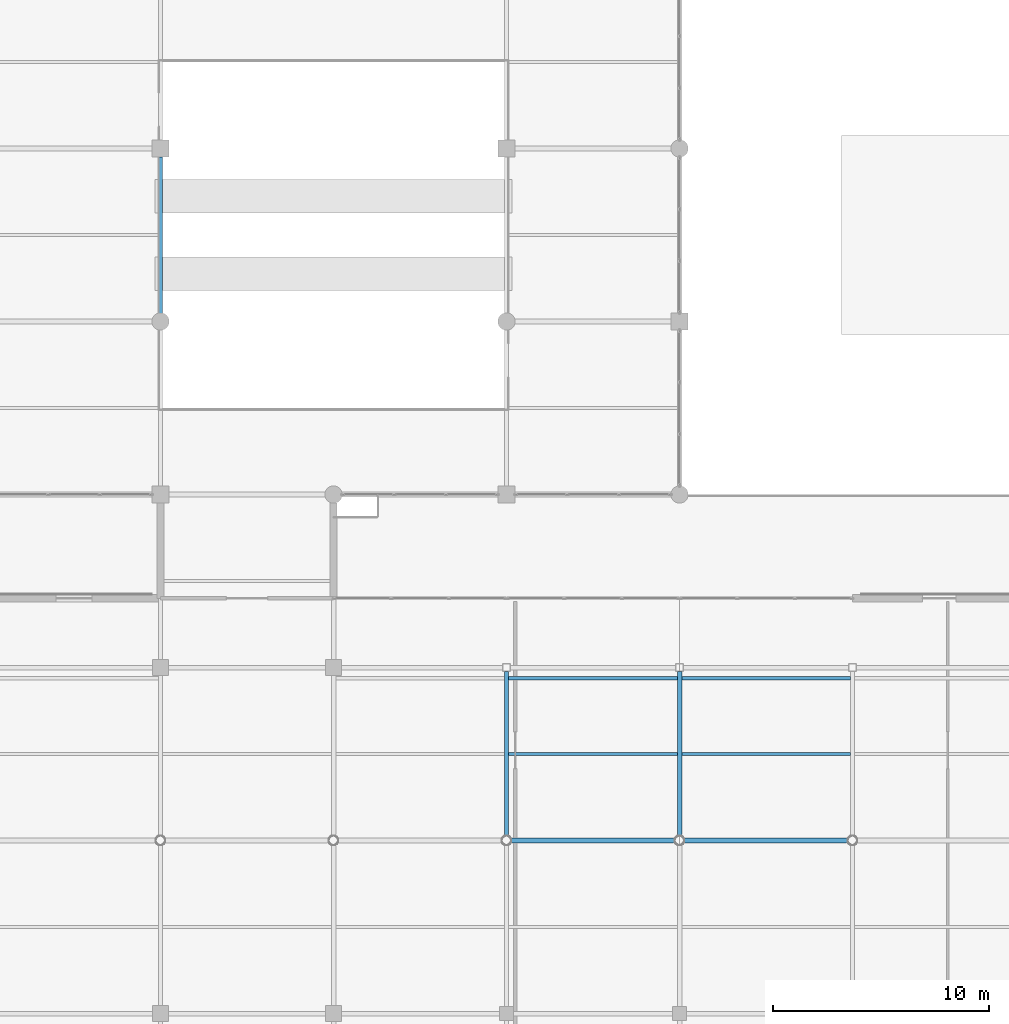
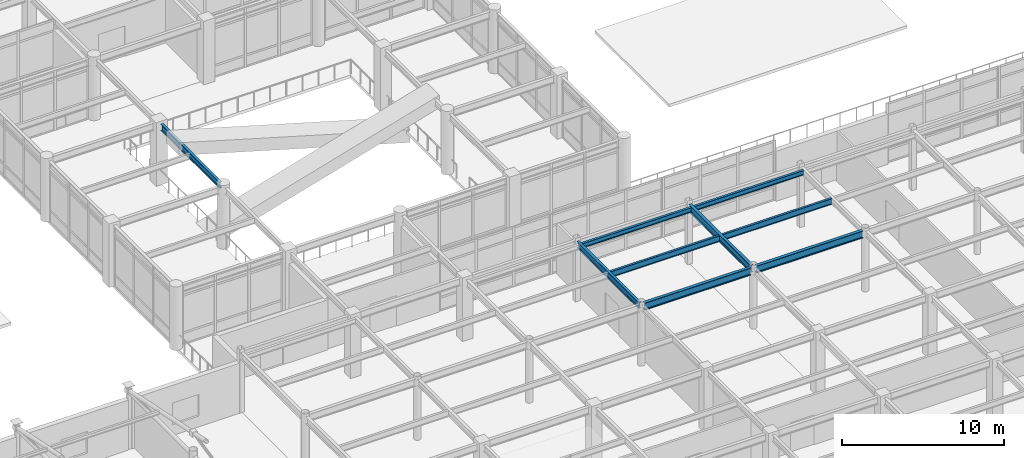
# One storey, part 38 of 117: 9 beams.
"""IFC4 building model written with IfcOpenShell, lengths in metres."""

import ifcopenshell
import ifcopenshell.guid

model = None  # the IFC model being written
_history = None  # IfcOwnerHistory: only IFC2X3 demands one
_inside = {}  # id of a spatial element -> (the spatial element, [elements in it])
_under = {}  # id of a project, library or spatial element -> (it, [spatial elements below it])
_declared = {}  # id of a project -> (the project, [libraries it declares])
_typed = {}  # id of a type object -> (the type object, [elements of that type])
_made_of = {}  # id of a material, layer set ... -> (it, [elements and type objects made of it])


def new_model(schema):
    """Start an empty IFC model of exactly this schema.

    Asked for "IFC4X3", IfcOpenShell would pick the latest addendum, in which some entities
    have other attributes; the version numbers below select the first issue.
    IFC2X3 requires an IfcOwnerHistory on every rooted entity: one is made here for all.
    """
    global model, _history
    if schema == "IFC4X3":
        model = ifcopenshell.file(schema_version=(4, 3, 0, 0))
    else:
        model = ifcopenshell.file(schema=schema)
    _inside.clear()
    _under.clear()
    _declared.clear()
    _typed.clear()
    _made_of.clear()
    _history = None
    if model.schema == "IFC2X3":
        org = make("IfcOrganization", Name="unknown")
        user = make(
            "IfcPersonAndOrganization",
            ThePerson=make("IfcPerson", FamilyName="unknown"),
            TheOrganization=org,
        )
        app = make(
            "IfcApplication",
            ApplicationDeveloper=org,
            Version="unknown",
            ApplicationFullName="unknown",
            ApplicationIdentifier="unknown",
        )
        _history = make(
            "IfcOwnerHistory",
            OwningUser=user,
            OwningApplication=app,
            ChangeAction="ADDED",
            CreationDate=0,
        )
    return model


def make(cls, **values):
    """One entity of the class cls with the attributes given. An attribute that is None is left unset."""
    return model.create_entity(
        cls, **{name: value for name, value in values.items() if value is not None}
    )


def rooted(cls, **values):
    """An entity with a GlobalId (a new one), such as an element, a storey or a relation."""
    return make(cls, GlobalId=ifcopenshell.guid.new(), OwnerHistory=_history, **values)


def si_unit(unit_type, name, prefix=None):
    """IfcSIUnit, for example si_unit("LENGTHUNIT", "METRE", prefix="MILLI")."""
    return make("IfcSIUnit", UnitType=unit_type, Prefix=prefix, Name=name)


def assignment(units):
    """IfcUnitAssignment: the units of a project."""
    return None if units is None else make("IfcUnitAssignment", Units=units)


def point(xyz):
    """IfcCartesianPoint."""
    return None if xyz is None else make("IfcCartesianPoint", Coordinates=xyz)


def direction(xyz):
    """IfcDirection."""
    return None if xyz is None else make("IfcDirection", DirectionRatios=xyz)


def frame(location, z_axis=None, x_axis=None):
    """IfcAxis2Placement3D, a coordinate frame: its origin and axes. An axis left out is left unset."""
    return make(
        "IfcAxis2Placement3D",
        Location=point(location),
        Axis=direction(z_axis),
        RefDirection=direction(x_axis),
    )


def frame_2d(location, x_axis=None):
    """IfcAxis2Placement2D, a coordinate frame in the plane: its origin and x axis."""
    return make(
        "IfcAxis2Placement2D", Location=point(location), RefDirection=direction(x_axis)
    )


def origin():
    """The frame at (0, 0, 0) with its axes left unset."""
    return frame((0.0, 0.0, 0.0))


def origin_2d():
    """The frame at (0, 0) in the plane with its x axis left unset."""
    return frame_2d((0.0, 0.0))


def place(relative_to, where):
    """IfcLocalPlacement: puts the frame where relative to a parent placement (None: the world)."""
    return make(
        "IfcLocalPlacement", PlacementRelTo=relative_to, RelativePlacement=where
    )


def context(
    kind, dimensions, precision=None, world=None, true_north=None, identifier=None
):
    """IfcGeometricRepresentationContext, for example the 3D "Model" context."""
    return make(
        "IfcGeometricRepresentationContext",
        ContextIdentifier=identifier,
        ContextType=kind,
        CoordinateSpaceDimension=dimensions,
        Precision=precision,
        WorldCoordinateSystem=world,
        TrueNorth=true_north,
    )


def subcontext(parent, identifier, kind, view, scale=None):
    """IfcGeometricRepresentationSubContext, for example "Body" below "Model"."""
    return make(
        "IfcGeometricRepresentationSubContext",
        ContextIdentifier=identifier,
        ContextType=kind,
        ParentContext=parent,
        TargetScale=scale,
        TargetView=view,
    )


def project(units=None, contexts=None):
    """IfcProject with its units and contexts."""
    return rooted(
        "IfcProject",
        Name="project",
        RepresentationContexts=contexts,
        UnitsInContext=assignment(units),
    )


def spatial(cls, under=None, at=None, **own):
    """A site, building, storey or space (cls), placed at a placement, below another one or the project."""
    s = rooted(cls, ObjectPlacement=at, **own)
    if under is not None:
        _under.setdefault(under.id(), (under, []))[1].append(s)
    return s


def profile(cls, at=None, kind="AREA", **sizes):
    """A parametric profile (cls). Its sizes go by their IFC names, for example OverallWidth=200.0."""
    return make(cls, ProfileType=kind, Position=at, **sizes)


def i_section(**sizes):
    """IfcIShapeProfileDef."""
    return profile("IfcIShapeProfileDef", **sizes)


def extrude(swept, where, along, depth):
    """IfcExtrudedAreaSolid: the profile swept, set in the frame where, extruded along a direction by depth."""
    return make(
        "IfcExtrudedAreaSolid",
        SweptArea=swept,
        Position=where,
        ExtrudedDirection=direction(along),
        Depth=depth,
    )


def shape(context_of_items, identifier, shape_type, items):
    """IfcShapeRepresentation: the items that make up one representation, for example the "Body"."""
    return make(
        "IfcShapeRepresentation",
        ContextOfItems=context_of_items,
        RepresentationIdentifier=identifier,
        RepresentationType=shape_type,
        Items=items,
    )


def material(Name=None, Category=None):
    """IfcMaterial."""
    return make("IfcMaterial", Name=Name, Category=Category)


def material_profile(
    of_material, cross_section, Name=None, Category=None, Priority=None
):
    """IfcMaterialProfile: a cross section and its material."""
    return make(
        "IfcMaterialProfile",
        Name=Name,
        Material=of_material,
        Profile=cross_section,
        Priority=Priority,
        Category=Category,
    )


def profile_set(profiles, Name=None, composite=None):
    """IfcMaterialProfileSet."""
    return make(
        "IfcMaterialProfileSet",
        Name=Name,
        MaterialProfiles=profiles,
        CompositeProfile=composite,
    )


def made_of(thing, what):
    """Note that an element or type object is made of a material, layer set ...; save() writes the relation."""
    if what is not None:
        _made_of.setdefault(what.id(), (what, []))[1].append(thing)
    return thing


def type_object(cls, material=None, **own):
    """A type object (cls), such as IfcWallType, which elements share."""
    return made_of(rooted(cls, **own), material)


def element(
    cls,
    number,
    at=None,
    inside=None,
    cuts=None,
    type_object=None,
    material=None,
    context=None,
    identifier="Body",
    shape_type=None,
    held_by="IfcProductDefinitionShape",
    body=None,
    shapes=None,
    **own,
):
    """One element of the class cls, such as IfcWall. Its Tag is "e" and its number.

    at: its placement. inside: the storey or other place that contains it. cuts: it is an
    opening in that element (IfcRelVoidsElement). A single representation is given by context,
    identifier, shape_type and body (its items); several are given by shapes. held_by: the class
    of the entity that holds the representations. save() writes the other relations.
    """
    e = rooted(cls, Tag="e%d" % number, ObjectPlacement=at, **own)
    if body is not None:
        shapes = [shape(context, identifier, shape_type, body)]
    if shapes is not None:
        e.Representation = make(held_by, Representations=shapes)
    if inside is not None:
        _inside.setdefault(inside.id(), (inside, []))[1].append(e)
    if cuts is not None:
        rooted(
            "IfcRelVoidsElement", RelatingBuildingElement=cuts, RelatedOpeningElement=e
        )
    if type_object is not None:
        _typed.setdefault(type_object.id(), (type_object, []))[1].append(e)
    return made_of(e, material)


def aggregate(whole, parts):
    """IfcRelAggregates: a whole, such as a stair, and the parts it consists of."""
    return rooted("IfcRelAggregates", RelatingObject=whole, RelatedObjects=parts)


def save(model, path):
    """Write the relations noted so far, then the file.

    IfcRelAggregates (storeys below a building ...), IfcRelContainedInSpatialStructure (elements
    in a storey), IfcRelDefinesByType, IfcRelAssociatesMaterial and IfcRelDeclares: one each for
    every whole, place, type object, material and project.
    """
    for whole, parts in _under.values():
        aggregate(whole, parts)
    for where, things in _inside.values():
        rooted(
            "IfcRelContainedInSpatialStructure",
            RelatedElements=things,
            RelatingStructure=where,
        )
    for kind, things in _typed.values():
        rooted("IfcRelDefinesByType", RelatedObjects=things, RelatingType=kind)
    for what, things in _made_of.values():
        rooted("IfcRelAssociatesMaterial", RelatedObjects=things, RelatingMaterial=what)
    for by, libraries in _declared.values():
        rooted("IfcRelDeclares", RelatingContext=by, RelatedDefinitions=libraries)
    model.write(path)


model = new_model("IFC4")

# Units and contexts
model_context = context("Model", 3, precision=1e-05, world=origin(), true_north=direction((0.0, 1.0)))
body_context = subcontext(model_context, "Body", "Model", "MODEL_VIEW")
ifc_project = project(units=[si_unit("LENGTHUNIT", "METRE"), si_unit("AREAUNIT", "SQUARE_METRE"), si_unit("VOLUMEUNIT", "CUBIC_METRE"), si_unit("PLANEANGLEUNIT", "RADIAN"), si_unit("MASSUNIT", "GRAM", prefix="KILO")], contexts=[model_context])

# Site, building, storey
site_placement = place(None, origin())
site = spatial("IfcSite", under=ifc_project, at=site_placement, CompositionType="ELEMENT")
building_placement = place(site_placement, origin())
building = spatial("IfcBuilding", under=site, at=building_placement, Name="Solmirada Galleria", CompositionType="ELEMENT")
storey_placement = place(building_placement, frame((0.0, 0.0, 5.60009765625)))
storey = spatial("IfcBuildingStorey", under=building, at=storey_placement, Name="L01", CompositionType="ELEMENT", Elevation=5.60009765625)

# Beams
ifc_material = material(Name="Steel S355 / ASTM A992 Grade 50", Category="steel")
ifc_material_profile_1 = material_profile(ifc_material, i_section(OverallWidth=0.194091796875, OverallDepth=0.468994140625, WebThickness=0.0126953125, FlangeThickness=0.0205078125, FilletRadius=0.013916015625, at=origin_2d()), Name="W18X71")
ifc_profile_set_1 = profile_set([ifc_material_profile_1], Name="Steel S355 / ASTM A992 Grade 50")
beam_type_1 = type_object("IfcBeamType", Name="BM-GIRD-W18B", PredefinedType="BEAM", material=ifc_profile_set_1)
beam_1_placement = place(storey_placement, frame((88.0, 56.3359375, 4.365478515625), z_axis=(0.0, 1.0, 0.0), x_axis=(-1.0, 0.0, 0.0)))
element("IfcBeam", 1, at=beam_1_placement, inside=storey, type_object=beam_type_1, Name="Primary girder L02 Y(88, 56..64)", PredefinedType="BEAM", context=body_context, shape_type="SweptSolid", body=[
    extrude(i_section(OverallWidth=0.194091796875, OverallDepth=0.468994140625, WebThickness=0.0126953125, FlangeThickness=0.0205078125, FilletRadius=0.013916015625, at=origin_2d()), origin(), (0.0, 0.0, 1.0), 7.26416015625),
])
beam_2_placement = place(storey_placement, frame((104.0, 32.19189453125, 4.325439453125), z_axis=(0.0, 1.0, 0.0), x_axis=(-1.0, 0.0, 0.0)))
element("IfcBeam", 2, at=beam_2_placement, inside=storey, type_object=beam_type_1, Name="Primary girder L02 Y(104, 32..40)", PredefinedType="BEAM", context=body_context, shape_type="SweptSolid", body=[
    extrude(i_section(OverallWidth=0.194091796875, OverallDepth=0.468994140625, WebThickness=0.0126953125, FlangeThickness=0.0205078125, FilletRadius=0.013916015625, at=origin_2d()), origin(), (0.0, 0.0, 1.0), 7.630126953125),
])
ifc_material_profile_2 = material_profile(ifc_material, i_section(OverallWidth=0.214111328125, OverallDepth=0.549072265625, WebThickness=0.0146484375, FlangeThickness=0.023681640625, FilletRadius=0.014892578125, at=origin_2d()), Name="W21X93")
ifc_profile_set_2 = profile_set([ifc_material_profile_2], Name="Steel S355 / ASTM A992 Grade 50")
beam_type_2 = type_object("IfcBeamType", Name="BM-GIRD-W21A", PredefinedType="BEAM", material=ifc_profile_set_2)
for number, where, z_axis, x_axis, name in (
    (3, (104.19189453125, 32.0, 4.325439453125), (1.0, 0.0, 0.0), (0.0, 1.0, 0.0), "Primary beam L02 X(104..112, 32)"),
    (4, (112.19189453125, 32.0, 4.325439453125), (1.0, 0.0, 0.0), (0.0, 1.0, 0.0), "Primary beam L02 X(112..120, 32)"),
):
    element("IfcBeam", number, at=place(storey_placement, frame(where, z_axis=z_axis, x_axis=x_axis)), inside=storey, type_object=beam_type_2, Name=name, PredefinedType="BEAM", context=body_context, shape_type="SweptSolid", body=[
        extrude(i_section(OverallWidth=0.214111328125, OverallDepth=0.549072265625, WebThickness=0.0146484375, FlangeThickness=0.023681640625, FilletRadius=0.014892578125, at=origin_2d()), origin(), (0.0, 0.0, 1.0), 7.6162109375),
    ])
ifc_material_profile_3 = material_profile(ifc_material, i_section(OverallWidth=0.2099609375, OverallDepth=0.537109375, WebThickness=0.010986328125, FlangeThickness=0.017333984375, FilletRadius=0.014892578125, at=origin_2d()), Name="W21X68")
ifc_profile_set_3 = profile_set([ifc_material_profile_3], Name="Steel S355 / ASTM A992 Grade 50")
beam_type_3 = type_object("IfcBeamType", Name="BM-GIRD-W21B", PredefinedType="BEAM", material=ifc_profile_set_3)
beam_3_placement = place(storey_placement, frame((112.0, 32.19189453125, 4.29150390625), z_axis=(0.0, 1.0, 0.0), x_axis=(-1.0, 0.0, 0.0)))
element("IfcBeam", 5, at=beam_3_placement, inside=storey, type_object=beam_type_3, Name="Primary girder L02 Y(112, 32..40)", PredefinedType="BEAM", context=body_context, shape_type="SweptSolid", body=[
    extrude(i_section(OverallWidth=0.2099609375, OverallDepth=0.537109375, WebThickness=0.010986328125, FlangeThickness=0.017333984375, FilletRadius=0.014892578125, at=origin_2d()), origin(), (0.0, 0.0, 1.0), 7.630126953125),
])
ifc_material_profile_4 = material_profile(ifc_material, i_section(OverallWidth=0.1708984375, OverallDepth=0.35205078125, WebThickness=0.0068359375, FlangeThickness=0.009765625, FilletRadius=0.010986328125, at=origin_2d()), Name="W14X30")
ifc_profile_set_4 = profile_set([ifc_material_profile_4], Name="Steel S355 / ASTM A992 Grade 50")
beam_type_4 = type_object("IfcBeamType", Name="BM-JST-W14B", PredefinedType="JOIST", material=ifc_profile_set_4)
for number, where, z_axis, x_axis, name in (
    (6, (104.096923828125, 39.5, 4.3837890625), (1.0, 0.0, 0.0), (0.0, 1.0, 0.0), "Terrace deck joist L02-TERR-SE X=104..112 (1)"),
    (7, (112.10498046875, 39.5, 4.3837890625), (1.0, 0.0, 0.0), (0.0, 1.0, 0.0), "Terrace deck joist L02-TERR-SE X=112..120 (1)"),
):
    element("IfcBeam", number, at=place(storey_placement, frame(where, z_axis=z_axis, x_axis=x_axis)), inside=storey, type_object=beam_type_4, Name=name, PredefinedType="JOIST", context=body_context, shape_type="SweptSolid", body=[
        extrude(i_section(OverallWidth=0.1708984375, OverallDepth=0.35205078125, WebThickness=0.0068359375, FlangeThickness=0.009765625, FilletRadius=0.010986328125, at=origin_2d()), origin(), (0.0, 0.0, 1.0), 7.798095703125),
    ])
ifc_material_profile_5 = material_profile(ifc_material, i_section(OverallWidth=0.152099609375, OverallDepth=0.449951171875, WebThickness=0.007568359375, FlangeThickness=0.0107421875, FilletRadius=0.011962890625, at=origin_2d()), Name="W18X35")
ifc_profile_set_5 = profile_set([ifc_material_profile_5], Name="Steel S355 / ASTM A992 Grade 50")
beam_type_5 = type_object("IfcBeamType", Name="BM-JST-W18B", PredefinedType="JOIST", material=ifc_profile_set_5)
for number, where, z_axis, x_axis, name in (
    (8, (104.096923828125, 36.0, 4.3349609375), (1.0, 0.0, 0.0), (0.0, 1.0, 0.0), "Composite floor joist L02 (104..112, 36.0)"),
    (9, (112.10498046875, 36.0, 4.3349609375), (1.0, 0.0, 0.0), (0.0, 1.0, 0.0), "Composite floor joist L02 (112..120, 36.0)"),
):
    element("IfcBeam", number, at=place(storey_placement, frame(where, z_axis=z_axis, x_axis=x_axis)), inside=storey, type_object=beam_type_5, Name=name, PredefinedType="JOIST", context=body_context, shape_type="SweptSolid", body=[
        extrude(i_section(OverallWidth=0.152099609375, OverallDepth=0.449951171875, WebThickness=0.007568359375, FlangeThickness=0.0107421875, FilletRadius=0.011962890625, at=origin_2d()), origin(), (0.0, 0.0, 1.0), 7.798095703125),
    ])

save(model, "model.ifc")
